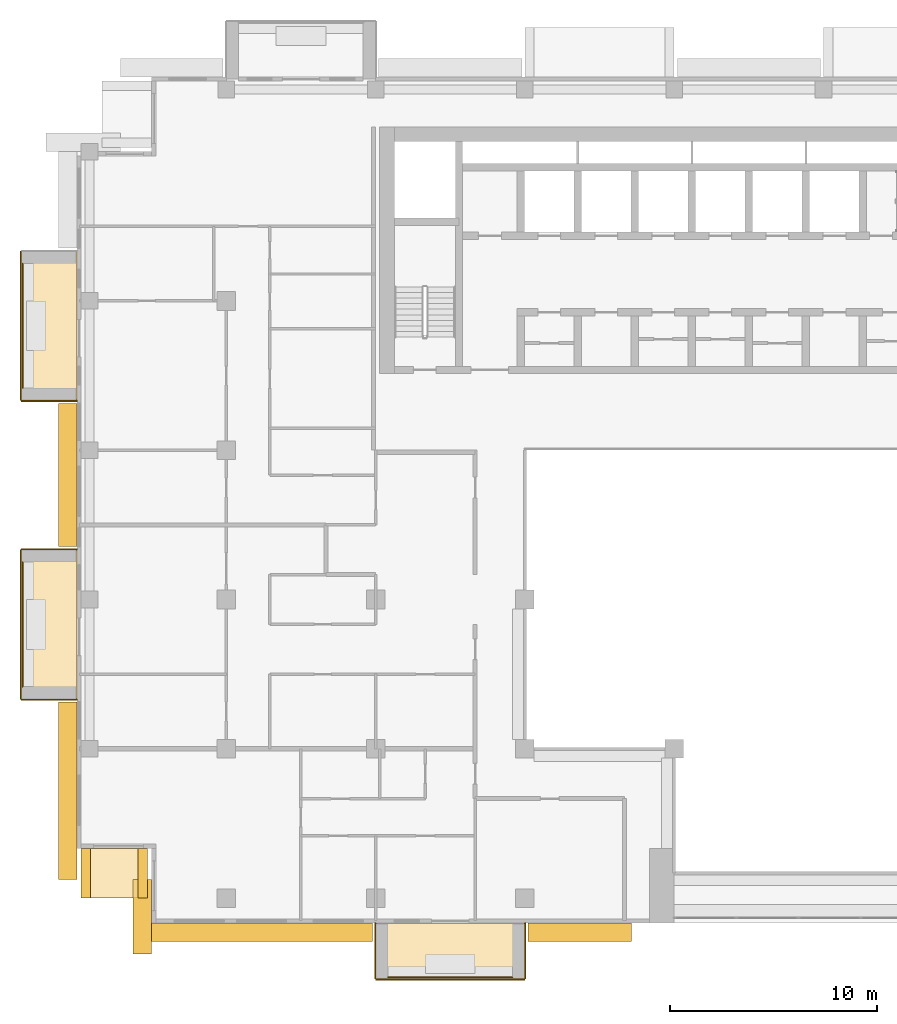
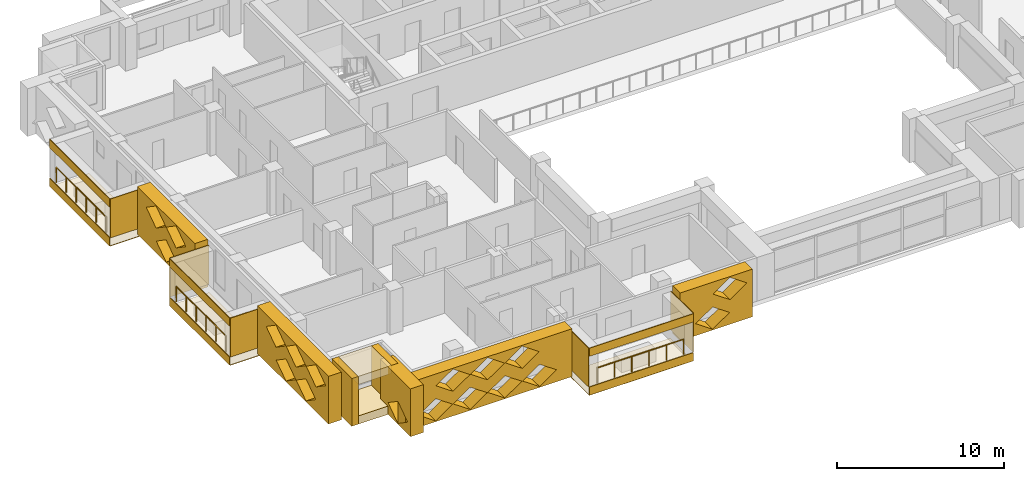
# One storey, part 14 of 20: 23 coverings, 3 railings.
"""IFC4 building model written with IfcOpenShell, lengths in metres."""

from ifc_helpers import new_model, si_unit, direction, frame, origin, origin_2d, place, context, subcontext, project, spatial, polyline, circle, outline, extrude, material, layer, layer_set, type_object, element, save


model = new_model("IFC4")

# Units and contexts
model_context = context("Model", 3, precision=1e-05, world=origin(), true_north=direction((0.0, 1.0)))
body_context = subcontext(model_context, "Body", "Model", "MODEL_VIEW")
ifc_project = project(units=[si_unit("LENGTHUNIT", "METRE"), si_unit("AREAUNIT", "SQUARE_METRE"), si_unit("VOLUMEUNIT", "CUBIC_METRE"), si_unit("PLANEANGLEUNIT", "RADIAN"), si_unit("MASSUNIT", "GRAM", prefix="KILO")], contexts=[model_context])

# Site, building, storey
site_placement = place(None, origin())
site = spatial("IfcSite", under=ifc_project, at=site_placement, CompositionType="ELEMENT")
building_placement = place(site_placement, origin())
building = spatial("IfcBuilding", under=site, at=building_placement, Name="Saffron Iwan Residences", CompositionType="ELEMENT")
storey_placement = place(building_placement, frame((0.0, 0.0, 178.0)))
storey = spatial("IfcBuildingStorey", under=building, at=storey_placement, Name="L47", CompositionType="ELEMENT", Elevation=178.0)

# Railings
ifc_material_1 = material(Name="Stainless steel 316", Category="steel")
railing_type = type_object("IfcRailingType", Name="BALCONY GUARD 1150", PredefinedType="GUARDRAIL", material=ifc_material_1)
for number, where, name in (
    (1, (11.77490234375, 71.39990234375, 0.0), "Balcony guard L47 F8-0"),
    (2, (11.77490234375, 57.0, 0.0), "Balcony guard L47 F8-1"),
):
    element("IfcRailing", number, at=place(storey_placement, frame(where)), inside=storey, type_object=railing_type, Name=name, PredefinedType="GUARDRAIL", context=body_context, shape_type="SweptSolid", body=[
        extrude(circle(Radius=0.02392578125, at=origin_2d()), frame((0.0, 0.0, 1.1259765625), z_axis=(0.0, -1.0, 0.0), x_axis=(1.0, 0.0, 0.0)), (0.0, 0.0, 1.0), 6.0),
        extrude(circle(Radius=0.02099609375, at=origin_2d()), origin(), (0.0, 0.0, 1.0), 1.101806640625),
        extrude(circle(Radius=0.02099609375, at=origin_2d()), frame((0.0, -1.199951171875, 0.0)), (0.0, 0.0, 1.0), 1.101806640625),
        extrude(circle(Radius=0.02099609375, at=origin_2d()), frame((0.0, -2.39990234375, 0.0)), (0.0, 0.0, 1.0), 1.101806640625),
        extrude(circle(Radius=0.02099609375, at=origin_2d()), frame((0.0, -3.60009765625, 0.0)), (0.0, 0.0, 1.0), 1.101806640625),
        extrude(circle(Radius=0.02099609375, at=origin_2d()), frame((0.0, -4.800048828125, 0.0)), (0.0, 0.0, 1.0), 1.101806640625),
        extrude(circle(Radius=0.02099609375, at=origin_2d()), frame((0.0, -6.0, 0.0)), (0.0, 0.0, 1.0), 1.101806640625),
    ])
railing_placement = place(storey_placement, frame((29.39990234375, 36.97509765625, 0.0)))
element("IfcRailing", 3, at=railing_placement, inside=storey, type_object=railing_type, Name="Balcony guard L47 11-0", PredefinedType="GUARDRAIL", context=body_context, shape_type="SweptSolid", body=[
    extrude(circle(Radius=0.02392578125, at=origin_2d()), frame((0.0, 0.0, 1.1259765625), z_axis=(1.0, 0.0, 0.0), x_axis=(0.0, 1.0, 0.0)), (0.0, 0.0, 1.0), 6.0),
    extrude(circle(Radius=0.02099609375, at=origin_2d()), origin(), (0.0, 0.0, 1.0), 1.101806640625),
    extrude(circle(Radius=0.02099609375, at=origin_2d()), frame((1.199951171875, 0.0, 0.0)), (0.0, 0.0, 1.0), 1.101806640625),
    extrude(circle(Radius=0.02099609375, at=origin_2d()), frame((2.39990234375, 0.0, 0.0)), (0.0, 0.0, 1.0), 1.101806640625),
    extrude(circle(Radius=0.02099609375, at=origin_2d()), frame((3.60009765625, 0.0, 0.0)), (0.0, 0.0, 1.0), 1.101806640625),
    extrude(circle(Radius=0.02099609375, at=origin_2d()), frame((4.800048828125, 0.0, 0.0)), (0.0, 0.0, 1.0), 1.101806640625),
    extrude(circle(Radius=0.02099609375, at=origin_2d()), frame((6.0, 0.0, 0.0)), (0.0, 0.0, 1.0), 1.101806640625),
])

# Coverings
ifc_material_2 = material(Name="Precast concrete C40/50 white painted", Category="concrete")
ifc_layer = layer(ifc_material_2, 0.050048828125)
ifc_layer_set = layer_set([ifc_layer], Name="Precast concrete C40/50 white painted")
covering_type_1 = type_object("IfcCoveringType", Name="FRAME SKIN PRECAST WHITE 50", PredefinedType="CLADDING", material=ifc_layer_set)
for number, where, name in (
    (4, (0.0, 0.0, -0.60009765625), "Frame skin slab edge L47 F8-0"),
    (5, (0.0, 0.0, 2.25), "Frame skin fascia L47 F8-0"),
):
    element("IfcCovering", number, at=place(storey_placement, frame(where)), inside=storey, type_object=covering_type_1, Name=name, PredefinedType="CLADDING", context=body_context, shape_type="SweptSolid", body=[
        extrude(outline(polyline([(11.64990234375, 72.0), (11.64990234375, 64.800048828125), (11.699951171875, 64.800048828125), (11.699951171875, 72.0), (11.64990234375, 72.0)])), origin(), (0.0, 0.0, 1.0), 0.60009765625),
    ])
covering_1_placement = place(storey_placement, frame((0.0, 0.0, -0.64990234375)))
element("IfcCovering", 6, at=covering_1_placement, inside=storey, type_object=covering_type_1, Name="Frame skin soffit L47 F8-0", PredefinedType="CLADDING", context=body_context, shape_type="SweptSolid", body=[
    extrude(outline(polyline([(11.699951171875, 72.0), (11.699951171875, 64.800048828125), (14.39990234375, 64.800048828125), (14.39990234375, 72.0), (11.699951171875, 72.0)])), origin(), (0.0, 0.0, 1.0), 0.0498046875),
])
covering_2_placement = place(storey_placement, origin())
element("IfcCovering", 7, at=covering_2_placement, inside=storey, type_object=covering_type_1, Name="Frame skin fin L47 F8-0b", PredefinedType="CLADDING", context=body_context, shape_type="SweptSolid", body=[
    extrude(outline(polyline([(11.699951171875, 64.800048828125), (11.699951171875, 64.75), (14.39990234375, 64.75), (14.39990234375, 64.800048828125), (11.699951171875, 64.800048828125)])), origin(), (0.0, 0.0, 1.0), 2.85009765625),
])
for number, where, name in (
    (8, (0.0, 0.0, -0.60009765625), "Frame skin slab edge L47 F8-1"),
    (9, (0.0, 0.0, 2.25), "Frame skin fascia L47 F8-1"),
):
    element("IfcCovering", number, at=place(storey_placement, frame(where)), inside=storey, type_object=covering_type_1, Name=name, PredefinedType="CLADDING", context=body_context, shape_type="SweptSolid", body=[
        extrude(outline(polyline([(11.64990234375, 57.60009765625), (11.64990234375, 50.39990234375), (11.699951171875, 50.39990234375), (11.699951171875, 57.60009765625), (11.64990234375, 57.60009765625)])), origin(), (0.0, 0.0, 1.0), 0.60009765625),
    ])
covering_3_placement = place(storey_placement, frame((0.0, 0.0, -0.64990234375)))
element("IfcCovering", 10, at=covering_3_placement, inside=storey, type_object=covering_type_1, Name="Frame skin soffit L47 F8-1", PredefinedType="CLADDING", context=body_context, shape_type="SweptSolid", body=[
    extrude(outline(polyline([(11.699951171875, 57.60009765625), (11.699951171875, 50.39990234375), (14.39990234375, 50.39990234375), (14.39990234375, 57.60009765625), (11.699951171875, 57.60009765625)])), origin(), (0.0, 0.0, 1.0), 0.0498046875),
])
covering_4_placement = place(storey_placement, origin())
element("IfcCovering", 11, at=covering_4_placement, inside=storey, type_object=covering_type_1, Name="Frame skin fin L47 F8-1a", PredefinedType="CLADDING", context=body_context, shape_type="SweptSolid", body=[
    extrude(outline(polyline([(11.699951171875, 57.64990234375), (11.699951171875, 57.60009765625), (14.39990234375, 57.60009765625), (14.39990234375, 57.64990234375), (11.699951171875, 57.64990234375)])), origin(), (0.0, 0.0, 1.0), 2.85009765625),
])
covering_5_placement = place(storey_placement, origin())
element("IfcCovering", 12, at=covering_5_placement, inside=storey, type_object=covering_type_1, Name="Frame skin fin L47 F8-1b", PredefinedType="CLADDING", context=body_context, shape_type="SweptSolid", body=[
    extrude(outline(polyline([(11.699951171875, 50.39990234375), (11.699951171875, 50.35009765625), (14.39990234375, 50.35009765625), (14.39990234375, 50.39990234375), (11.699951171875, 50.39990234375)])), origin(), (0.0, 0.0, 1.0), 2.85009765625),
])
for number, where, name in (
    (13, (0.0, 0.0, -0.60009765625), "Frame skin slab edge L47 11-0"),
    (14, (0.0, 0.0, 2.25), "Frame skin fascia L47 11-0"),
):
    element("IfcCovering", number, at=place(storey_placement, frame(where)), inside=storey, type_object=covering_type_1, Name=name, PredefinedType="CLADDING", context=body_context, shape_type="SweptSolid", body=[
        extrude(outline(polyline([(28.800048828125, 36.85009765625), (36.0, 36.85009765625), (36.0, 36.89990234375), (28.800048828125, 36.89990234375), (28.800048828125, 36.85009765625)])), origin(), (0.0, 0.0, 1.0), 0.60009765625),
    ])
covering_6_placement = place(storey_placement, frame((0.0, 0.0, -0.64990234375)))
element("IfcCovering", 15, at=covering_6_placement, inside=storey, type_object=covering_type_1, Name="Frame skin soffit L47 11-0", PredefinedType="CLADDING", context=body_context, shape_type="SweptSolid", body=[
    extrude(outline(polyline([(28.800048828125, 36.89990234375), (36.0, 36.89990234375), (36.0, 39.60009765625), (28.800048828125, 39.60009765625), (28.800048828125, 36.89990234375)])), origin(), (0.0, 0.0, 1.0), 0.0498046875),
])
covering_7_placement = place(storey_placement, origin())
element("IfcCovering", 16, at=covering_7_placement, inside=storey, type_object=covering_type_1, Name="Frame skin fin L47 11-0a", PredefinedType="CLADDING", context=body_context, shape_type="SweptSolid", body=[
    extrude(outline(polyline([(28.75, 36.89990234375), (28.800048828125, 36.89990234375), (28.800048828125, 39.60009765625), (28.75, 39.60009765625), (28.75, 36.89990234375)])), origin(), (0.0, 0.0, 1.0), 2.85009765625),
])
covering_8_placement = place(storey_placement, origin())
element("IfcCovering", 17, at=covering_8_placement, inside=storey, type_object=covering_type_1, Name="Frame skin fin L47 11-0b", PredefinedType="CLADDING", context=body_context, shape_type="SweptSolid", body=[
    extrude(outline(polyline([(36.0, 36.89990234375), (36.050048828125, 36.89990234375), (36.050048828125, 39.60009765625), (36.0, 39.60009765625), (36.0, 36.89990234375)])), origin(), (0.0, 0.0, 1.0), 2.85009765625),
])
ifc_material_3 = material(Name="Precast concrete C40/50", Category="concrete")
covering_type_2 = type_object("IfcCoveringType", Name="OUTER SKIN LATTICE SCREEN", PredefinedType="CLADDING", material=ifc_material_3)
covering_9_placement = place(storey_placement, frame((14.39990234375, 64.64990234375, -0.300048828125), z_axis=(-1.0, 0.0, 0.0), x_axis=(0.0, -1.0, 0.0)))
element("IfcCovering", 18, at=covering_9_placement, inside=storey, type_object=covering_type_2, Name="OUTER SKIN lattice screen L47 F8.1", PredefinedType="CLADDING", context=body_context, shape_type="SweptSolid", body=[
    extrude(outline(polyline([(0.0, 0.0), (6.89990234375, 0.0), (6.89990234375, 3.5), (0.0, 3.5), (0.0, 0.0)]), holes=[polyline([(2.27001953125, 0.875), (3.449951171875, 0.06005859375), (4.6298828125, 0.875), (3.449951171875, 1.68994140625), (2.27001953125, 0.875)]), polyline([(1.070068359375, 2.625), (2.25, 1.81005859375), (3.429931640625, 2.625), (2.25, 3.43994140625), (1.070068359375, 2.625)]), polyline([(3.469970703125, 2.625), (4.64990234375, 1.81005859375), (5.830078125, 2.625), (4.64990234375, 3.43994140625), (3.469970703125, 2.625)])]), origin(), (0.0, 0.0, 1.0), 0.89990234375),
])
covering_10_placement = place(storey_placement, frame((14.39990234375, 50.25, -0.300048828125), z_axis=(-1.0, 0.0, 0.0), x_axis=(0.0, -1.0, 0.0)))
element("IfcCovering", 19, at=covering_10_placement, inside=storey, type_object=covering_type_2, Name="OUTER SKIN lattice screen L47 F8.2", PredefinedType="CLADDING", context=body_context, shape_type="SweptSolid", body=[
    extrude(outline(polyline([(0.0, 0.0), (8.550048828125, 0.0), (8.550048828125, 3.5), (0.0, 3.5), (0.0, 0.0)]), holes=[polyline([(2.27001953125, 0.875), (3.449951171875, 0.06005859375), (4.6298828125, 0.875), (3.449951171875, 1.68994140625), (2.27001953125, 0.875)]), polyline([(4.669921875, 0.875), (5.85009765625, 0.06005859375), (7.030029296875, 0.875), (5.85009765625, 1.68994140625), (4.669921875, 0.875)]), polyline([(1.070068359375, 2.625), (2.25, 1.81005859375), (3.429931640625, 2.625), (2.25, 3.43994140625), (1.070068359375, 2.625)]), polyline([(3.469970703125, 2.625), (4.64990234375, 1.81005859375), (5.830078125, 2.625), (4.64990234375, 3.43994140625), (3.469970703125, 2.625)]), polyline([(5.8701171875, 2.625), (7.050048828125, 1.81005859375), (8.22998046875, 2.625), (7.050048828125, 3.43994140625), (5.8701171875, 2.625)])]), origin(), (0.0, 0.0, 1.0), 0.89990234375),
])
covering_11_placement = place(storey_placement, frame((18.0, 41.699951171875, -0.300048828125), z_axis=(-1.0, 0.0, 0.0), x_axis=(0.0, -1.0, 0.0)))
element("IfcCovering", 20, at=covering_11_placement, inside=storey, type_object=covering_type_2, Name="OUTER SKIN lattice screen L47 F10.0", PredefinedType="CLADDING", context=body_context, shape_type="SweptSolid", body=[
    extrude(outline(polyline([(0.0, 0.0), (3.60009765625, 0.0), (3.60009765625, 3.5), (0.0, 3.5), (0.0, 0.0)]), holes=[polyline([(0.919921875, 0.875), (2.10009765625, 0.06005859375), (3.280029296875, 0.875), (2.10009765625, 1.68994140625), (0.919921875, 0.875)])]), origin(), (0.0, 0.0, 1.0), 0.89990234375),
])
covering_12_placement = place(storey_placement, frame((17.10009765625, 39.60009765625, -0.300048828125), z_axis=(0.0, -1.0, 0.0), x_axis=(1.0, 0.0, 0.0)))
element("IfcCovering", 21, at=covering_12_placement, inside=storey, type_object=covering_type_2, Name="OUTER SKIN lattice screen L47 F11.0", PredefinedType="CLADDING", context=body_context, shape_type="SweptSolid", body=[
    extrude(outline(polyline([(0.0, 0.0), (11.550048828125, 0.0), (11.550048828125, 3.5), (0.0, 3.5), (0.0, 0.0)]), holes=[polyline([(0.919921875, 0.875), (2.10009765625, 0.06005859375), (3.280029296875, 0.875), (2.10009765625, 1.68994140625), (0.919921875, 0.875)]), polyline([(3.320068359375, 0.875), (4.5, 0.06005859375), (5.679931640625, 0.875), (4.5, 1.68994140625), (3.320068359375, 0.875)]), polyline([(5.719970703125, 0.875), (6.89990234375, 0.06005859375), (8.080078125, 0.875), (6.89990234375, 1.68994140625), (5.719970703125, 0.875)]), polyline([(8.1201171875, 0.875), (9.300048828125, 0.06005859375), (10.47998046875, 0.875), (9.300048828125, 1.68994140625), (8.1201171875, 0.875)]), polyline([(2.1201171875, 2.625), (3.300048828125, 1.81005859375), (4.47998046875, 2.625), (3.300048828125, 3.43994140625), (2.1201171875, 2.625)]), polyline([(4.52001953125, 2.625), (5.699951171875, 1.81005859375), (6.8798828125, 2.625), (5.699951171875, 3.43994140625), (4.52001953125, 2.625)]), polyline([(6.919921875, 2.625), (8.10009765625, 1.81005859375), (9.280029296875, 2.625), (8.10009765625, 3.43994140625), (6.919921875, 2.625)])]), origin(), (0.0, 0.0, 1.0), 0.900146484375),
])
covering_13_placement = place(storey_placement, frame((36.14990234375, 39.60009765625, -0.300048828125), z_axis=(0.0, -1.0, 0.0), x_axis=(1.0, 0.0, 0.0)))
element("IfcCovering", 22, at=covering_13_placement, inside=storey, type_object=covering_type_2, Name="OUTER SKIN lattice screen L47 F11.1", PredefinedType="CLADDING", context=body_context, shape_type="SweptSolid", body=[
    extrude(outline(polyline([(0.0, 0.0), (5.0, 0.0), (5.0, 3.5), (0.0, 3.5), (0.0, 0.0)]), holes=[polyline([(1.070068359375, 0.875), (2.25, 0.06005859375), (3.429931640625, 0.875), (2.25, 1.68994140625), (1.070068359375, 0.875)]), polyline([(2.27001953125, 2.625), (3.449951171875, 1.81005859375), (4.6298828125, 2.625), (3.449951171875, 3.43994140625), (2.27001953125, 2.625)])]), origin(), (0.0, 0.0, 1.0), 0.900146484375),
])
covering_type_3 = type_object("IfcCoveringType", Name="WHITE SUN FRAME PRECAST", PredefinedType="CLADDING", material=ifc_material_2)
for number, where, z_axis, x_axis, name in (
    (23, (14.60009765625, 43.199951171875, -0.300048828125), (0.0, -1.0, 0.0), (1.0, 0.0, 0.0), "Sun frame L47 F9 0.2a"),
    (24, (17.35009765625, 43.199951171875, -0.300048828125), (0.0, -1.0, 0.0), (1.0, 0.0, 0.0), "Sun frame L47 F9 0.2b"),
):
    element("IfcCovering", number, at=place(storey_placement, frame(where, z_axis=z_axis, x_axis=x_axis)), inside=storey, type_object=covering_type_3, Name=name, PredefinedType="CLADDING", context=body_context, shape_type="SweptSolid", body=[
        extrude(outline(polyline([(0.0, 0.0), (0.449951171875, 0.0), (0.449951171875, 3.5), (0.0, 3.5), (0.0, 0.0)])), origin(), (0.0, 0.0, 1.0), 2.39990234375),
    ])
for number, where, z_axis, x_axis, name in (
    (25, (15.050048828125, 43.199951171875, 2.60009765625), (0.0, -1.0, 0.0), (1.0, 0.0, 0.0), "Sun frame L47 F9 0.2h"),
    (26, (15.050048828125, 43.199951171875, -0.300048828125), (0.0, -1.0, 0.0), (1.0, 0.0, 0.0), "Sun frame L47 F9 0.2s"),
):
    element("IfcCovering", number, at=place(storey_placement, frame(where, z_axis=z_axis, x_axis=x_axis)), inside=storey, type_object=covering_type_3, Name=name, PredefinedType="CLADDING", context=body_context, shape_type="SweptSolid", body=[
        extrude(outline(polyline([(0.0, 0.0), (2.300048828125, 0.0), (2.300048828125, 0.60009765625), (0.0, 0.60009765625), (0.0, 0.0)])), origin(), (0.0, 0.0, 1.0), 2.39990234375),
    ])

save(model, "model.ifc")
